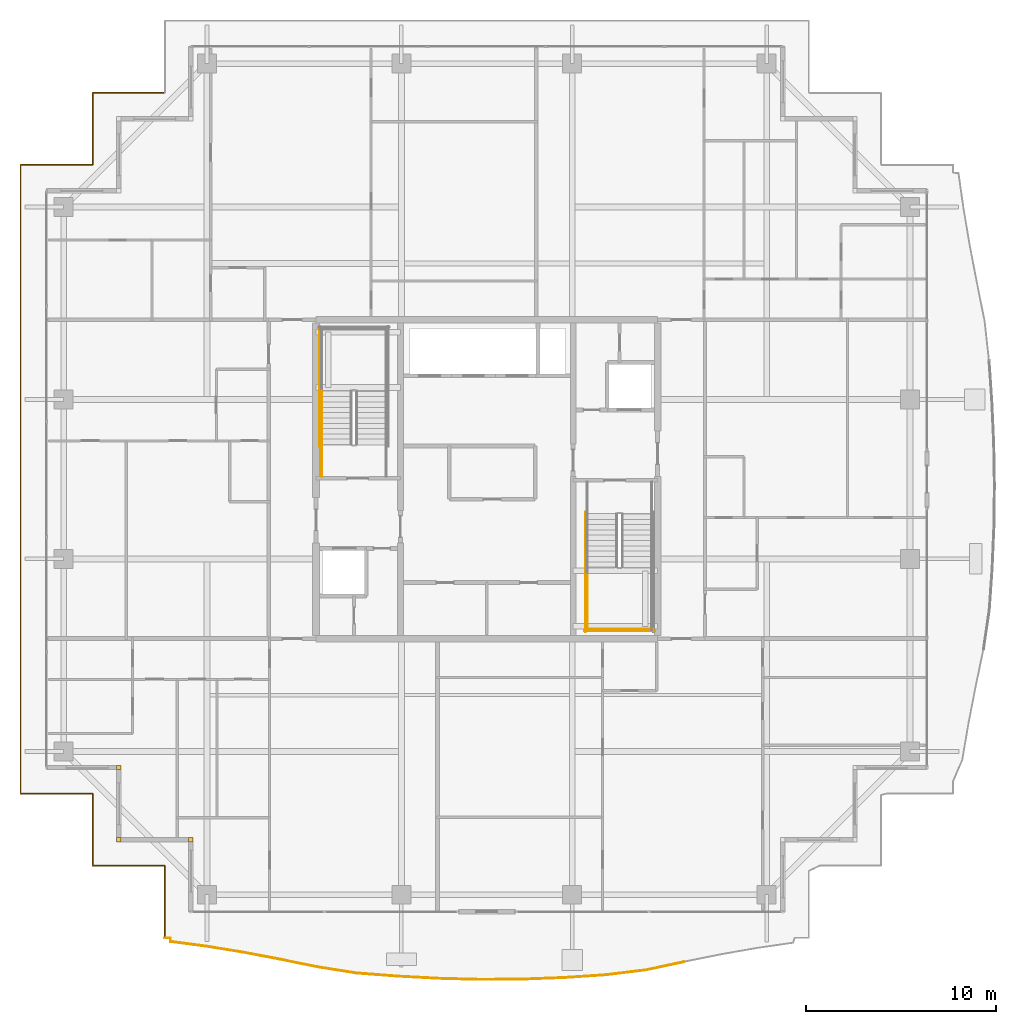
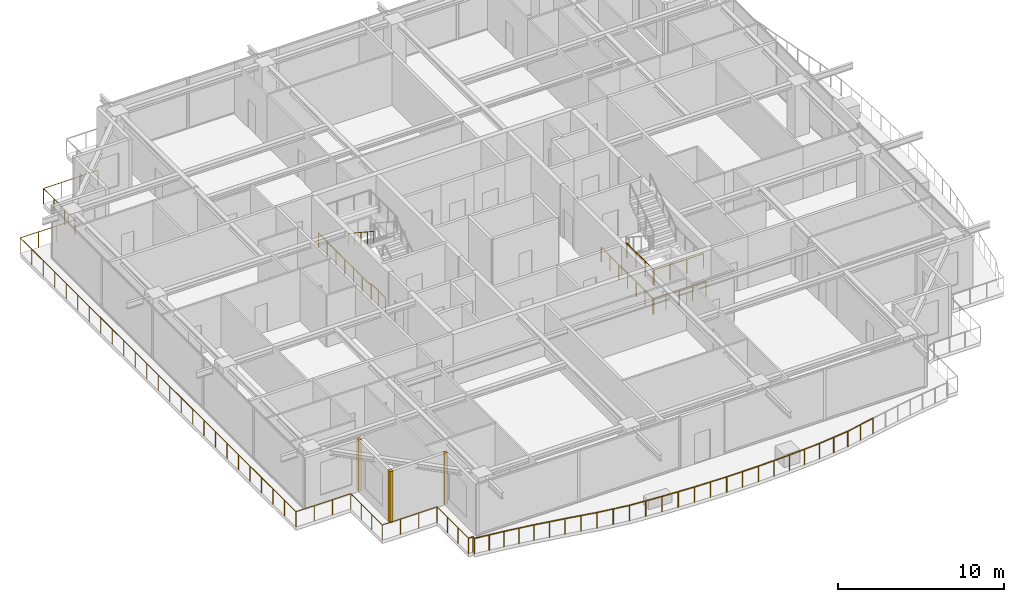
# One storey, part 38 of 42: 10 railings, 3 coverings.
"""IFC4 building model written with IfcOpenShell, lengths in metres."""

from ifc_helpers import new_model, si_unit, direction, frame, origin, origin_2d, place, context, subcontext, project, spatial, rectangle, circle, extrude, source, transform, mapped, material, layer, layer_set, type_object, element, save


model = new_model("IFC4")

# Units and contexts
model_context = context("Model", 3, precision=1e-05, world=origin(), true_north=direction((0.0, 1.0)))
body_context = subcontext(model_context, "Body", "Model", "MODEL_VIEW")
ifc_project = project(units=[si_unit("LENGTHUNIT", "METRE"), si_unit("AREAUNIT", "SQUARE_METRE"), si_unit("VOLUMEUNIT", "CUBIC_METRE"), si_unit("PLANEANGLEUNIT", "RADIAN"), si_unit("MASSUNIT", "GRAM", prefix="KILO")], contexts=[model_context])

# Site, building, storey
site_placement = place(None, origin())
site = spatial("IfcSite", under=ifc_project, at=site_placement, CompositionType="ELEMENT")
building_placement = place(site_placement, origin())
building = spatial("IfcBuilding", under=site, at=building_placement, Name="Serunith Strait Residences", CompositionType="ELEMENT")
storey_placement = place(building_placement, frame((0.0, 0.0, 297.5)))
storey = spatial("IfcBuildingStorey", under=building, at=storey_placement, Name="L74", CompositionType="ELEMENT", Elevation=297.5)

# Railings
ifc_material_1 = material(Name="Stainless Steel & Laminated Glass Balustrade", Category="steel")
railing_type_1 = type_object("IfcRailingType", Name="RLG-BALC-1150", PredefinedType="BALUSTRADE", material=ifc_material_1)
railing_1_placement = place(storey_placement, frame((15.419921875, 1.02001953125, -0.050048828125)))
element("IfcRailing", 1, at=railing_1_placement, inside=storey, type_object=railing_type_1, Name="L74 Swirling Balcony Perimeter Balustrade 1", PredefinedType="BALUSTRADE", context=body_context, shape_type="SweptSolid", body=[
    extrude(circle(Radius=0.02392578125, at=origin_2d()), frame((0.0, 0.001953125, 1.1259765625), z_axis=(0.0, 1.0, 0.0), x_axis=(-1.0, 0.0, 0.0)), (0.0, 0.0, 1.0), 3.796142578125),
    extrude(circle(Radius=0.02392578125, at=origin_2d()), frame((-0.001953125, 3.800048828125, 1.1259765625), z_axis=(-1.0, 0.0, 0.0), x_axis=(0.0, -1.0, 0.0)), (0.0, 0.0, 1.0), 3.7958984375),
    extrude(circle(Radius=0.02392578125, at=origin_2d()), frame((-3.7998046875, 3.802001953125, 1.1259765625), z_axis=(0.0, 1.0, 0.0), x_axis=(-1.0, 0.0, 0.0)), (0.0, 0.0, 1.0), 3.796142578125),
    extrude(circle(Radius=0.02392578125, at=origin_2d()), frame((-3.8017578125, 7.60009765625, 1.1259765625), z_axis=(-1.0, 0.0, 0.0), x_axis=(0.0, -1.0, 0.0)), (0.0, 0.0, 1.0), 3.796142578125),
    extrude(circle(Radius=0.02392578125, at=origin_2d()), frame((-7.599853515625, 7.60205078125, 1.1259765625), z_axis=(0.0, 1.0, 0.0), x_axis=(-1.0, 0.0, 0.0)), (0.0, 0.0, 1.0), 33.156005859375),
    extrude(circle(Radius=0.02392578125, at=origin_2d()), frame((-7.597900390625, 40.760009765625, 1.1259765625), z_axis=(1.0, 0.0, 0.0), x_axis=(0.0, 1.0, 0.0)), (0.0, 0.0, 1.0), 3.796142578125),
    extrude(circle(Radius=0.02392578125, at=origin_2d()), frame((-3.7998046875, 40.761962890625, 1.1259765625), z_axis=(0.0, 1.0, 0.0), x_axis=(-1.0, 0.0, 0.0)), (0.0, 0.0, 1.0), 3.796142578125),
    extrude(circle(Radius=0.02392578125, at=origin_2d()), frame((-3.7978515625, 44.56005859375, 1.1259765625), z_axis=(1.0, 0.0, 0.0), x_axis=(0.0, 1.0, 0.0)), (0.0, 0.0, 1.0), 3.783447265625),
    extrude(circle(Radius=0.02099609375, at=origin_2d()), origin(), (0.0, 0.0, 1.0), 1.099853515625),
    extrude(circle(Radius=0.02099609375, at=origin_2d()), frame((0.0, 1.2666015625, 0.0)), (0.0, 0.0, 1.0), 1.099853515625),
    extrude(circle(Radius=0.02099609375, at=origin_2d()), frame((0.0, 2.533447265625, 0.0)), (0.0, 0.0, 1.0), 1.099853515625),
    extrude(circle(Radius=0.02099609375, at=origin_2d()), frame((0.0, 3.800048828125, 0.0)), (0.0, 0.0, 1.0), 1.099853515625),
    extrude(circle(Radius=0.02099609375, at=origin_2d()), frame((-1.2666015625, 3.800048828125, 0.0)), (0.0, 0.0, 1.0), 1.099853515625),
    extrude(circle(Radius=0.02099609375, at=origin_2d()), frame((-2.533203125, 3.800048828125, 0.0)), (0.0, 0.0, 1.0), 1.099853515625),
    extrude(circle(Radius=0.02099609375, at=origin_2d()), frame((-3.7998046875, 3.800048828125, 0.0)), (0.0, 0.0, 1.0), 1.099853515625),
    extrude(circle(Radius=0.02099609375, at=origin_2d()), frame((-3.7998046875, 5.066650390625, 0.0)), (0.0, 0.0, 1.0), 1.099853515625),
    extrude(circle(Radius=0.02099609375, at=origin_2d()), frame((-3.7998046875, 6.33349609375, 0.0)), (0.0, 0.0, 1.0), 1.099853515625),
    extrude(circle(Radius=0.02099609375, at=origin_2d()), frame((-3.7998046875, 7.60009765625, 0.0)), (0.0, 0.0, 1.0), 1.099853515625),
    extrude(circle(Radius=0.02099609375, at=origin_2d()), frame((-5.06640625, 7.60009765625, 0.0)), (0.0, 0.0, 1.0), 1.099853515625),
    extrude(circle(Radius=0.02099609375, at=origin_2d()), frame((-6.333251953125, 7.60009765625, 0.0)), (0.0, 0.0, 1.0), 1.099853515625),
    extrude(circle(Radius=0.02099609375, at=origin_2d()), frame((-7.599853515625, 7.60009765625, 0.0)), (0.0, 0.0, 1.0), 1.099853515625),
    extrude(circle(Radius=0.02099609375, at=origin_2d()), frame((-7.599853515625, 8.981689453125, 0.0)), (0.0, 0.0, 1.0), 1.099853515625),
    extrude(circle(Radius=0.02099609375, at=origin_2d()), frame((-7.599853515625, 10.363525390625, 0.0)), (0.0, 0.0, 1.0), 1.099853515625),
    extrude(circle(Radius=0.02099609375, at=origin_2d()), frame((-7.599853515625, 11.7451171875, 0.0)), (0.0, 0.0, 1.0), 1.099853515625),
    extrude(circle(Radius=0.02099609375, at=origin_2d()), frame((-7.599853515625, 13.126708984375, 0.0)), (0.0, 0.0, 1.0), 1.099853515625),
    extrude(circle(Radius=0.02099609375, at=origin_2d()), frame((-7.599853515625, 14.50830078125, 0.0)), (0.0, 0.0, 1.0), 1.099853515625),
    extrude(circle(Radius=0.02099609375, at=origin_2d()), frame((-7.599853515625, 15.89013671875, 0.0)), (0.0, 0.0, 1.0), 1.099853515625),
    extrude(circle(Radius=0.02099609375, at=origin_2d()), frame((-7.599853515625, 17.271728515625, 0.0)), (0.0, 0.0, 1.0), 1.099853515625),
    extrude(circle(Radius=0.02099609375, at=origin_2d()), frame((-7.599853515625, 18.6533203125, 0.0)), (0.0, 0.0, 1.0), 1.099853515625),
    extrude(circle(Radius=0.02099609375, at=origin_2d()), frame((-7.599853515625, 20.03515625, 0.0)), (0.0, 0.0, 1.0), 1.099853515625),
    extrude(circle(Radius=0.02099609375, at=origin_2d()), frame((-7.599853515625, 21.416748046875, 0.0)), (0.0, 0.0, 1.0), 1.099853515625),
    extrude(circle(Radius=0.02099609375, at=origin_2d()), frame((-7.599853515625, 22.79833984375, 0.0)), (0.0, 0.0, 1.0), 1.099853515625),
    extrude(circle(Radius=0.02099609375, at=origin_2d()), frame((-7.599853515625, 24.18017578125, 0.0)), (0.0, 0.0, 1.0), 1.099853515625),
    extrude(circle(Radius=0.02099609375, at=origin_2d()), frame((-7.599853515625, 25.561767578125, 0.0)), (0.0, 0.0, 1.0), 1.099853515625),
    extrude(circle(Radius=0.02099609375, at=origin_2d()), frame((-7.599853515625, 26.943359375, 0.0)), (0.0, 0.0, 1.0), 1.099853515625),
    extrude(circle(Radius=0.02099609375, at=origin_2d()), frame((-7.599853515625, 28.324951171875, 0.0)), (0.0, 0.0, 1.0), 1.099853515625),
    extrude(circle(Radius=0.02099609375, at=origin_2d()), frame((-7.599853515625, 29.706787109375, 0.0)), (0.0, 0.0, 1.0), 1.099853515625),
    extrude(circle(Radius=0.02099609375, at=origin_2d()), frame((-7.599853515625, 31.08837890625, 0.0)), (0.0, 0.0, 1.0), 1.099853515625),
    extrude(circle(Radius=0.02099609375, at=origin_2d()), frame((-7.599853515625, 32.469970703125, 0.0)), (0.0, 0.0, 1.0), 1.099853515625),
    extrude(circle(Radius=0.02099609375, at=origin_2d()), frame((-7.599853515625, 33.851806640625, 0.0)), (0.0, 0.0, 1.0), 1.099853515625),
    extrude(circle(Radius=0.02099609375, at=origin_2d()), frame((-7.599853515625, 35.2333984375, 0.0)), (0.0, 0.0, 1.0), 1.099853515625),
    extrude(circle(Radius=0.02099609375, at=origin_2d()), frame((-7.599853515625, 36.614990234375, 0.0)), (0.0, 0.0, 1.0), 1.099853515625),
    extrude(circle(Radius=0.02099609375, at=origin_2d()), frame((-7.599853515625, 37.99658203125, 0.0)), (0.0, 0.0, 1.0), 1.099853515625),
    extrude(circle(Radius=0.02099609375, at=origin_2d()), frame((-7.599853515625, 39.37841796875, 0.0)), (0.0, 0.0, 1.0), 1.099853515625),
    extrude(circle(Radius=0.02099609375, at=origin_2d()), frame((-7.599853515625, 40.760009765625, 0.0)), (0.0, 0.0, 1.0), 1.099853515625),
    extrude(circle(Radius=0.02099609375, at=origin_2d()), frame((-6.333251953125, 40.760009765625, 0.0)), (0.0, 0.0, 1.0), 1.099853515625),
    extrude(circle(Radius=0.02099609375, at=origin_2d()), frame((-5.06640625, 40.760009765625, 0.0)), (0.0, 0.0, 1.0), 1.099853515625),
    extrude(circle(Radius=0.02099609375, at=origin_2d()), frame((-3.7998046875, 40.760009765625, 0.0)), (0.0, 0.0, 1.0), 1.099853515625),
    extrude(circle(Radius=0.02099609375, at=origin_2d()), frame((-3.7998046875, 42.026611328125, 0.0)), (0.0, 0.0, 1.0), 1.099853515625),
    extrude(circle(Radius=0.02099609375, at=origin_2d()), frame((-3.7998046875, 43.29345703125, 0.0)), (0.0, 0.0, 1.0), 1.099853515625),
    extrude(circle(Radius=0.02099609375, at=origin_2d()), frame((-3.7998046875, 44.56005859375, 0.0)), (0.0, 0.0, 1.0), 1.099853515625),
    extrude(circle(Radius=0.02099609375, at=origin_2d()), frame((-2.537353515625, 44.56005859375, 0.0)), (0.0, 0.0, 1.0), 1.099853515625),
    extrude(circle(Radius=0.02099609375, at=origin_2d()), frame((-1.27490234375, 44.56005859375, 0.0)), (0.0, 0.0, 1.0), 1.099853515625),
    extrude(circle(Radius=0.02099609375, at=origin_2d()), frame((-0.012451171875, 44.56005859375, 0.0)), (0.0, 0.0, 1.0), 1.099853515625),
])
railing_2_placement = place(storey_placement, frame((42.795654296875, -0.240478515625, -0.050048828125)))
element("IfcRailing", 2, at=railing_2_placement, inside=storey, type_object=railing_type_1, Name="L74 Swirling Balcony Perimeter Balustrade 7", PredefinedType="BALUSTRADE", context=body_context, shape_type="SweptSolid", body=[
    extrude(circle(Radius=0.02392578125, at=origin_2d()), frame((-0.001953125, -0.00048828125, 1.1259765625), z_axis=(-0.978247338357, -0.207441907524, 0.0), x_axis=(0.207441907524, -0.978247338357, 0.0)), (0.0, 0.0, 1.0), 2.04150390625),
    extrude(circle(Radius=0.02392578125, at=origin_2d()), frame((-2.0029296875, -0.424560546875, 1.1259765625), z_axis=(-0.992519569327, -0.122085644135, 0.0), x_axis=(0.122085644135, -0.992519569327, 0.0)), (0.0, 0.0, 1.0), 2.123779296875),
    extrude(circle(Radius=0.02392578125, at=origin_2d()), frame((-4.11474609375, -0.684326171875, 1.1259765625), z_axis=(-0.997781188469, -0.066578524596, 0.0), x_axis=(0.066578524596, -0.997781188469, 0.0)), (0.0, 0.0, 1.0), 2.174072265625),
    extrude(circle(Radius=0.02392578125, at=origin_2d()), frame((-6.2880859375, -0.8291015625, 1.1259765625), z_axis=(-0.999261011003, -0.038437376213, 0.0), x_axis=(0.038437376213, -0.999261011003, 0.0)), (0.0, 0.0, 1.0), 2.199951171875),
    extrude(circle(Radius=0.02392578125, at=origin_2d()), frame((-8.490478515625, -0.913818359375, 1.1259765625), z_axis=(-0.999976663006, -0.006831796486, 0.0), x_axis=(0.006831796486, -0.999976663006, 0.0)), (0.0, 0.0, 1.0), 2.211669921875),
    extrude(circle(Radius=0.02392578125, at=origin_2d()), frame((-10.7060546875, -0.928955078125, 1.1259765625), z_axis=(-0.99968888601, 0.024942557765, 0.0), x_axis=(-0.024942557765, -0.99968888601, 0.0)), (0.0, 0.0, 1.0), 2.2080078125),
    extrude(circle(Radius=0.02392578125, at=origin_2d()), frame((-12.91748046875, -0.873779296875, 1.1259765625), z_axis=(-0.998566645882, 0.05352246007, 0.0), x_axis=(-0.05352246007, -0.998566645882, 0.0)), (0.0, 0.0, 1.0), 2.18994140625),
    extrude(circle(Radius=0.02099609375, at=origin_2d()), origin(), (0.0, 0.0, 1.0), 1.099853515625),
    extrude(circle(Radius=0.02099609375, at=origin_2d()), frame((-1.00048828125, -0.212158203125, 0.0)), (0.0, 0.0, 1.0), 1.099853515625),
    extrude(circle(Radius=0.02099609375, at=origin_2d()), frame((-2.0009765625, -0.42431640625, 0.0)), (0.0, 0.0, 1.0), 1.099853515625),
    extrude(circle(Radius=0.02099609375, at=origin_2d()), frame((-3.056884765625, -0.55419921875, 0.0)), (0.0, 0.0, 1.0), 1.099853515625),
    extrude(circle(Radius=0.02099609375, at=origin_2d()), frame((-4.11279296875, -0.68408203125, 0.0)), (0.0, 0.0, 1.0), 1.099853515625),
    extrude(circle(Radius=0.02099609375, at=origin_2d()), frame((-5.199462890625, -0.756591796875, 0.0)), (0.0, 0.0, 1.0), 1.099853515625),
    extrude(circle(Radius=0.02099609375, at=origin_2d()), frame((-6.2861328125, -0.8291015625, 0.0)), (0.0, 0.0, 1.0), 1.099853515625),
    extrude(circle(Radius=0.02099609375, at=origin_2d()), frame((-7.38720703125, -0.87158203125, 0.0)), (0.0, 0.0, 1.0), 1.099853515625),
    extrude(circle(Radius=0.02099609375, at=origin_2d()), frame((-8.488525390625, -0.913818359375, 0.0)), (0.0, 0.0, 1.0), 1.099853515625),
    extrude(circle(Radius=0.02099609375, at=origin_2d()), frame((-9.59619140625, -0.92138671875, 0.0)), (0.0, 0.0, 1.0), 1.099853515625),
    extrude(circle(Radius=0.02099609375, at=origin_2d()), frame((-10.7041015625, -0.928955078125, 0.0)), (0.0, 0.0, 1.0), 1.099853515625),
    extrude(circle(Radius=0.02099609375, at=origin_2d()), frame((-11.809814453125, -0.9013671875, 0.0)), (0.0, 0.0, 1.0), 1.099853515625),
    extrude(circle(Radius=0.02099609375, at=origin_2d()), frame((-12.91552734375, -0.873779296875, 0.0)), (0.0, 0.0, 1.0), 1.099853515625),
    extrude(circle(Radius=0.02099609375, at=origin_2d()), frame((-14.010986328125, -0.81494140625, 0.0)), (0.0, 0.0, 1.0), 1.099853515625),
    extrude(circle(Radius=0.02099609375, at=origin_2d()), frame((-15.1064453125, -0.75634765625, 0.0)), (0.0, 0.0, 1.0), 1.099853515625),
])
railing_3_placement = place(storey_placement, frame((27.689208984375, -0.996826171875, -0.050048828125)))
element("IfcRailing", 3, at=railing_3_placement, inside=storey, type_object=railing_type_1, Name="L74 Swirling Balcony Perimeter Balustrade 8", PredefinedType="BALUSTRADE", context=body_context, shape_type="SweptSolid", body=[
    extrude(circle(Radius=0.02392578125, at=origin_2d()), frame((-0.001953125, 0.000244140625, 1.1259765625), z_axis=(-0.997081619449, 0.076342937838, 0.0), x_axis=(-0.076342937838, -0.997081619449, 0.0)), (0.0, 0.0, 1.0), 2.160888671875),
    extrude(circle(Radius=0.02392578125, at=origin_2d()), frame((-2.16064453125, 0.16552734375, 1.1259765625), z_axis=(-0.987866426767, 0.155305900937, 0.0), x_axis=(-0.155305900937, -0.987866426767, 0.0)), (0.0, 0.0, 1.0), 2.09619140625),
    extrude(circle(Radius=0.02392578125, at=origin_2d()), frame((-4.2353515625, 0.491943359375, 1.1259765625), z_axis=(-0.979495523482, 0.201465926345, 0.0), x_axis=(-0.201465926345, -0.979495523482, 0.0)), (0.0, 0.0, 1.0), 2.022216796875),
    extrude(circle(Radius=0.02392578125, at=origin_2d()), frame((-6.219970703125, 0.900146484375, 1.1259765625), z_axis=(-0.982552514499, 0.185985365693, 0.0), x_axis=(-0.185985365693, -0.982552514499, 0.0)), (0.0, 0.0, 1.0), 1.9677734375),
    extrude(circle(Radius=0.02392578125, at=origin_2d()), frame((-8.1572265625, 1.2666015625, 1.1259765625), z_axis=(-0.987074202821, 0.160263901506, 0.0), x_axis=(-0.160263901506, -0.987074202821, 0.0)), (0.0, 0.0, 1.0), 1.9306640625),
    extrude(circle(Radius=0.02392578125, at=origin_2d()), frame((-10.06689453125, 1.57666015625, 1.1259765625), z_axis=(-0.991317889933, 0.131487037762, 0.0), x_axis=(-0.131487037762, -0.991317889933, 0.0)), (0.0, 0.0, 1.0), 1.910400390625),
    extrude(circle(Radius=0.02392578125, at=origin_2d()), frame((-11.962646484375, 1.830078125, 1.1259765625), z_axis=(0.007761732553, 0.9999698773, 0.0), x_axis=(-0.9999698773, 0.007761732553, 0.0)), (0.0, 0.0, 1.0), 0.184814453125),
    extrude(circle(Radius=0.02392578125, at=origin_2d()), frame((-11.963134765625, 2.016845703125, 1.1259765625), z_axis=(-1.0, 0.0, 0.0), x_axis=(0.0, -1.0, 0.0)), (0.0, 0.0, 1.0), 0.30419921875),
    extrude(circle(Radius=0.02099609375, at=origin_2d()), origin(), (0.0, 0.0, 1.0), 1.099853515625),
    extrude(circle(Radius=0.02099609375, at=origin_2d()), frame((-1.079345703125, 0.08251953125, 0.0)), (0.0, 0.0, 1.0), 1.099853515625),
    extrude(circle(Radius=0.02099609375, at=origin_2d()), frame((-2.15869140625, 0.165283203125, 0.0)), (0.0, 0.0, 1.0), 1.099853515625),
    extrude(circle(Radius=0.02099609375, at=origin_2d()), frame((-3.196044921875, 0.328369140625, 0.0)), (0.0, 0.0, 1.0), 1.099853515625),
    extrude(circle(Radius=0.02099609375, at=origin_2d()), frame((-4.2333984375, 0.491455078125, 0.0)), (0.0, 0.0, 1.0), 1.099853515625),
    extrude(circle(Radius=0.02099609375, at=origin_2d()), frame((-5.2255859375, 0.695556640625, 0.0)), (0.0, 0.0, 1.0), 1.099853515625),
    extrude(circle(Radius=0.02099609375, at=origin_2d()), frame((-6.218017578125, 0.899658203125, 0.0)), (0.0, 0.0, 1.0), 1.099853515625),
    extrude(circle(Radius=0.02099609375, at=origin_2d()), frame((-7.1865234375, 1.0830078125, 0.0)), (0.0, 0.0, 1.0), 1.099853515625),
    extrude(circle(Radius=0.02099609375, at=origin_2d()), frame((-8.1552734375, 1.266357421875, 0.0)), (0.0, 0.0, 1.0), 1.099853515625),
    extrude(circle(Radius=0.02099609375, at=origin_2d()), frame((-9.110107421875, 1.42138671875, 0.0)), (0.0, 0.0, 1.0), 1.099853515625),
    extrude(circle(Radius=0.02099609375, at=origin_2d()), frame((-10.06494140625, 1.576416015625, 0.0)), (0.0, 0.0, 1.0), 1.099853515625),
    extrude(circle(Radius=0.02099609375, at=origin_2d()), frame((-11.013671875, 1.7021484375, 0.0)), (0.0, 0.0, 1.0), 1.099853515625),
    extrude(circle(Radius=0.02099609375, at=origin_2d()), frame((-11.962646484375, 1.828125, 0.0)), (0.0, 0.0, 1.0), 1.099853515625),
    extrude(circle(Radius=0.02099609375, at=origin_2d()), frame((-11.961181640625, 2.016845703125, 0.0)), (0.0, 0.0, 1.0), 1.099853515625),
    extrude(circle(Radius=0.02099609375, at=origin_2d()), frame((-12.269287109375, 2.016845703125, 0.0)), (0.0, 0.0, 1.0), 1.099853515625),
])
ifc_material_2 = material(Name="Brushed stainless steel 316L", Category="steel")
railing_type_2 = type_object("IfcRailingType", Name="RLG-STAIR-GUARD", PredefinedType="BALUSTRADE", material=ifc_material_2)
railing_4_placement = place(storey_placement, frame((23.699951171875, 25.35009765625, 0.0)))
element("IfcRailing", 4, at=railing_4_placement, inside=storey, type_object=railing_type_2, Name="L74 ST-1 stair guard 9", PredefinedType="BALUSTRADE", context=body_context, shape_type="SweptSolid", body=[
    extrude(circle(Radius=0.02392578125, at=origin_2d()), frame((0.0, 0.001953125, 1.076171875), z_axis=(0.0, 1.0, 0.0), x_axis=(-1.0, 0.0, 0.0)), (0.0, 0.0, 1.0), 1.676025390625),
    extrude(circle(Radius=0.02099609375, at=origin_2d()), origin(), (0.0, 0.0, 1.0), 1.050048828125),
    extrude(circle(Radius=0.02099609375, at=origin_2d()), frame((0.0, 0.83984375, 0.0)), (0.0, 0.0, 1.0), 1.050048828125),
    extrude(circle(Radius=0.02099609375, at=origin_2d()), frame((0.0, 1.679931640625, 0.0)), (0.0, 0.0, 1.0), 1.050048828125),
])
railing_5_placement = place(storey_placement, frame((23.60009765625, 26.929931640625, 0.0)))
element("IfcRailing", 5, at=railing_5_placement, inside=storey, type_object=railing_type_2, Name="L74 ST-1 stair guard 11", PredefinedType="BALUSTRADE", context=body_context, shape_type="SweptSolid", body=[
    extrude(circle(Radius=0.02392578125, at=origin_2d()), frame((0.0, 0.001953125, 1.076171875), z_axis=(0.0, 1.0, 0.0), x_axis=(-1.0, 0.0, 0.0)), (0.0, 0.0, 1.0), 6.316162109375),
    extrude(circle(Radius=0.02099609375, at=origin_2d()), origin(), (0.0, 0.0, 1.0), 1.050048828125),
    extrude(circle(Radius=0.02099609375, at=origin_2d()), frame((0.0, 1.05322265625, 0.0)), (0.0, 0.0, 1.0), 1.050048828125),
    extrude(circle(Radius=0.02099609375, at=origin_2d()), frame((0.0, 2.106689453125, 0.0)), (0.0, 0.0, 1.0), 1.050048828125),
    extrude(circle(Radius=0.02099609375, at=origin_2d()), frame((0.0, 3.16015625, 0.0)), (0.0, 0.0, 1.0), 1.050048828125),
    extrude(circle(Radius=0.02099609375, at=origin_2d()), frame((0.0, 4.21337890625, 0.0)), (0.0, 0.0, 1.0), 1.050048828125),
    extrude(circle(Radius=0.02099609375, at=origin_2d()), frame((0.0, 5.2666015625, 0.0)), (0.0, 0.0, 1.0), 1.050048828125),
    extrude(circle(Radius=0.02099609375, at=origin_2d()), frame((0.0, 6.320068359375, 0.0)), (0.0, 0.0, 1.0), 1.050048828125),
])
railing_6_placement = place(storey_placement, frame((37.699951171875, 20.570068359375, 2.02490234375)))
element("IfcRailing", 6, at=railing_6_placement, inside=storey, type_object=railing_type_2, Name="L74 ST-2 stair guard 3", PredefinedType="BALUSTRADE", context=body_context, shape_type="SweptSolid", body=[
    extrude(circle(Radius=0.02392578125, at=origin_2d()), frame((0.0, -0.001953125, 1.076171875), z_axis=(0.0, -1.0, 0.0), x_axis=(1.0, 0.0, 0.0)), (0.0, 0.0, 1.0), 3.316162109375),
    extrude(circle(Radius=0.02099609375, at=origin_2d()), origin(), (0.0, 0.0, 1.0), 1.050048828125),
    extrude(circle(Radius=0.02099609375, at=origin_2d()), frame((0.0, -1.106689453125, 0.0)), (0.0, 0.0, 1.0), 1.050048828125),
    extrude(circle(Radius=0.02099609375, at=origin_2d()), frame((0.0, -2.21337890625, 0.0)), (0.0, 0.0, 1.0), 1.050048828125),
    extrude(circle(Radius=0.02099609375, at=origin_2d()), frame((0.0, -3.320068359375, 0.0)), (0.0, 0.0, 1.0), 1.050048828125),
])
railing_7_placement = place(storey_placement, frame((37.64990234375, 17.300048828125, 2.02490234375)))
element("IfcRailing", 7, at=railing_7_placement, inside=storey, type_object=railing_type_2, Name="L74 ST-2 stair guard 5", PredefinedType="BALUSTRADE", context=body_context, shape_type="SweptSolid", body=[
    extrude(circle(Radius=0.02392578125, at=origin_2d()), frame((0.001953125, 0.0, 1.076171875), z_axis=(1.0, 0.0, 0.0), x_axis=(0.0, 1.0, 0.0)), (0.0, 0.0, 1.0), 3.49609375),
    extrude(circle(Radius=0.02099609375, at=origin_2d()), origin(), (0.0, 0.0, 1.0), 1.050048828125),
    extrude(circle(Radius=0.02099609375, at=origin_2d()), frame((1.166748046875, 0.0, 0.0)), (0.0, 0.0, 1.0), 1.050048828125),
    extrude(circle(Radius=0.02099609375, at=origin_2d()), frame((2.333251953125, 0.0, 0.0)), (0.0, 0.0, 1.0), 1.050048828125),
    extrude(circle(Radius=0.02099609375, at=origin_2d()), frame((3.5, 0.0, 0.0)), (0.0, 0.0, 1.0), 1.050048828125),
])
railing_8_placement = place(storey_placement, frame((37.60009765625, 23.469970703125, 0.0)))
element("IfcRailing", 8, at=railing_8_placement, inside=storey, type_object=railing_type_2, Name="L74 ST-2 stair guard 10", PredefinedType="BALUSTRADE", context=body_context, shape_type="SweptSolid", body=[
    extrude(circle(Radius=0.02392578125, at=origin_2d()), frame((0.0, -0.001953125, 1.076171875), z_axis=(0.0, -1.0, 0.0), x_axis=(1.0, 0.0, 0.0)), (0.0, 0.0, 1.0), 6.316162109375),
    extrude(circle(Radius=0.02099609375, at=origin_2d()), origin(), (0.0, 0.0, 1.0), 1.050048828125),
    extrude(circle(Radius=0.02099609375, at=origin_2d()), frame((0.0, -1.05322265625, 0.0)), (0.0, 0.0, 1.0), 1.050048828125),
    extrude(circle(Radius=0.02099609375, at=origin_2d()), frame((0.0, -2.106689453125, 0.0)), (0.0, 0.0, 1.0), 1.050048828125),
    extrude(circle(Radius=0.02099609375, at=origin_2d()), frame((0.0, -3.16015625, 0.0)), (0.0, 0.0, 1.0), 1.050048828125),
    extrude(circle(Radius=0.02099609375, at=origin_2d()), frame((0.0, -4.21337890625, 0.0)), (0.0, 0.0, 1.0), 1.050048828125),
    extrude(circle(Radius=0.02099609375, at=origin_2d()), frame((0.0, -5.2666015625, 0.0)), (0.0, 0.0, 1.0), 1.050048828125),
    extrude(circle(Radius=0.02099609375, at=origin_2d()), frame((0.0, -6.320068359375, 0.0)), (0.0, 0.0, 1.0), 1.050048828125),
])
railing_9_placement = place(storey_placement, frame((37.550048828125, 17.199951171875, 0.0)))
element("IfcRailing", 9, at=railing_9_placement, inside=storey, type_object=railing_type_2, Name="L74 ST-2 stair guard 12", PredefinedType="BALUSTRADE", context=body_context, shape_type="SweptSolid", body=[
    extrude(circle(Radius=0.02392578125, at=origin_2d()), frame((0.001953125, 0.0, 1.076171875), z_axis=(1.0, 0.0, 0.0), x_axis=(0.0, 1.0, 0.0)), (0.0, 0.0, 1.0), 3.696044921875),
    extrude(circle(Radius=0.02099609375, at=origin_2d()), origin(), (0.0, 0.0, 1.0), 1.050048828125),
    extrude(circle(Radius=0.02099609375, at=origin_2d()), frame((0.925048828125, 0.0, 0.0)), (0.0, 0.0, 1.0), 1.050048828125),
    extrude(circle(Radius=0.02099609375, at=origin_2d()), frame((1.85009765625, 0.0, 0.0)), (0.0, 0.0, 1.0), 1.050048828125),
    extrude(circle(Radius=0.02099609375, at=origin_2d()), frame((2.77490234375, 0.0, 0.0)), (0.0, 0.0, 1.0), 1.050048828125),
    extrude(circle(Radius=0.02099609375, at=origin_2d()), frame((3.699951171875, 0.0, 0.0)), (0.0, 0.0, 1.0), 1.050048828125),
])
railing_type_3 = type_object("IfcRailingType", Name="RLG-STAIR-HR", PredefinedType="HANDRAIL", material=ifc_material_2)
railing_10_placement = place(storey_placement, frame((23.699951171875, 29.830078125, 2.208984375)))
element("IfcRailing", 10, at=railing_10_placement, inside=storey, type_object=railing_type_3, Name="L74 ST-1 stair handrail 2", PredefinedType="HANDRAIL", context=body_context, shape_type="SweptSolid", body=[
    extrude(circle(Radius=0.02392578125, at=origin_2d()), frame((0.0, -0.001708984375, 0.876953125), z_axis=(0.0, -0.83496096917, 0.550309167616), x_axis=(1.0, 0.0, 0.0)), (0.0, 0.0, 1.0), 3.684814453125),
    extrude(circle(Radius=0.02099609375, at=origin_2d()), origin(), (0.0, 0.0, 1.0), 0.849853515625),
    extrude(circle(Radius=0.02099609375, at=origin_2d()), frame((0.0, -0.77001953125, 0.507568359375)), (0.0, 0.0, 1.0), 0.849853515625),
    extrude(circle(Radius=0.02099609375, at=origin_2d()), frame((0.0, -1.5400390625, 1.01513671875)), (0.0, 0.0, 1.0), 0.849853515625),
    extrude(circle(Radius=0.02099609375, at=origin_2d()), frame((0.0, -2.31005859375, 1.5224609375)), (0.0, 0.0, 1.0), 0.849853515625),
    extrude(circle(Radius=0.02099609375, at=origin_2d()), frame((0.0, -3.080078125, 2.030029296875)), (0.0, 0.0, 1.0), 0.849853515625),
])

# Coverings
ifc_material_3 = material(Name="Pale-Champagne Anodised Aluminium", Category="aluminium")
ifc_layer = layer(ifc_material_3, 0.219970703125, Name="Pale-Champagne Anodised Aluminium")
ifc_layer_set = layer_set([ifc_layer], Name="Pale-Champagne Anodised Aluminium")
covering_type = type_object("IfcCoveringType", Name="COV-CORN-TRIM", PredefinedType="CLADDING", material=ifc_layer_set)
shared_shape = source(origin(), body_context, "Body", "SweptSolid", [
    extrude(rectangle(XDim=0.221923828125, YDim=0.221923828125, at=origin_2d()), origin(), (0.0, 0.0, 1.0), 3.77490234375),
])
for number, where, z_axis, x_axis, name in (
    (11, (13.0, 10.0, 0.0), (0.0, 0.0, 1.0), (1.0, 0.0, 0.0), "L74 Girih Serrated Corner Trim Post 17"),
    (12, (13.0, 6.199951171875, 0.0), (0.0, 0.0, 1.0), (1.0, 0.0, 0.0), "L74 Girih Serrated Corner Trim Post 18"),
    (13, (16.800048828125, 6.199951171875, 0.0), (0.0, 0.0, 1.0), (1.0, 0.0, 0.0), "L74 Girih Serrated Corner Trim Post 19"),
):
    element("IfcCovering", number, at=place(storey_placement, frame(where, z_axis=z_axis, x_axis=x_axis)), inside=storey, type_object=covering_type, Name=name, PredefinedType="CLADDING", context=body_context, shape_type="MappedRepresentation", body=[
        mapped(shared_shape, transform((0.0, 0.0, 0.0), scale=1.0)),
    ])

save(model, "model.ifc")
